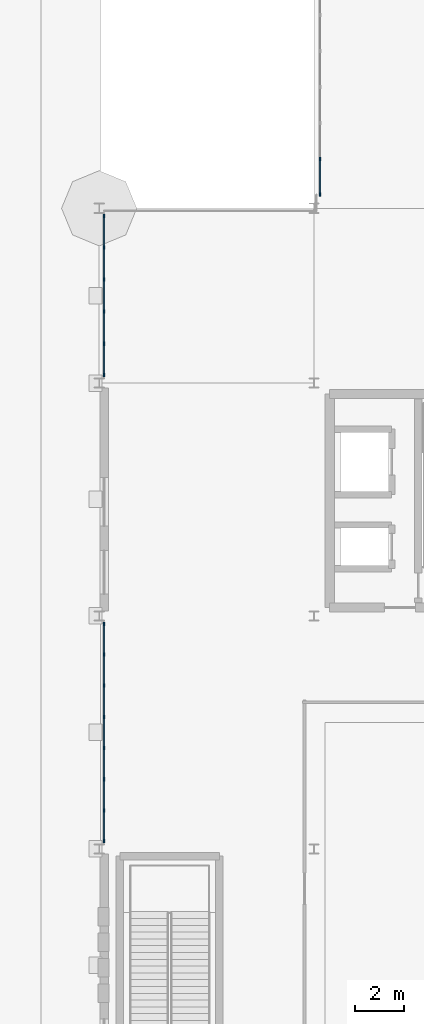
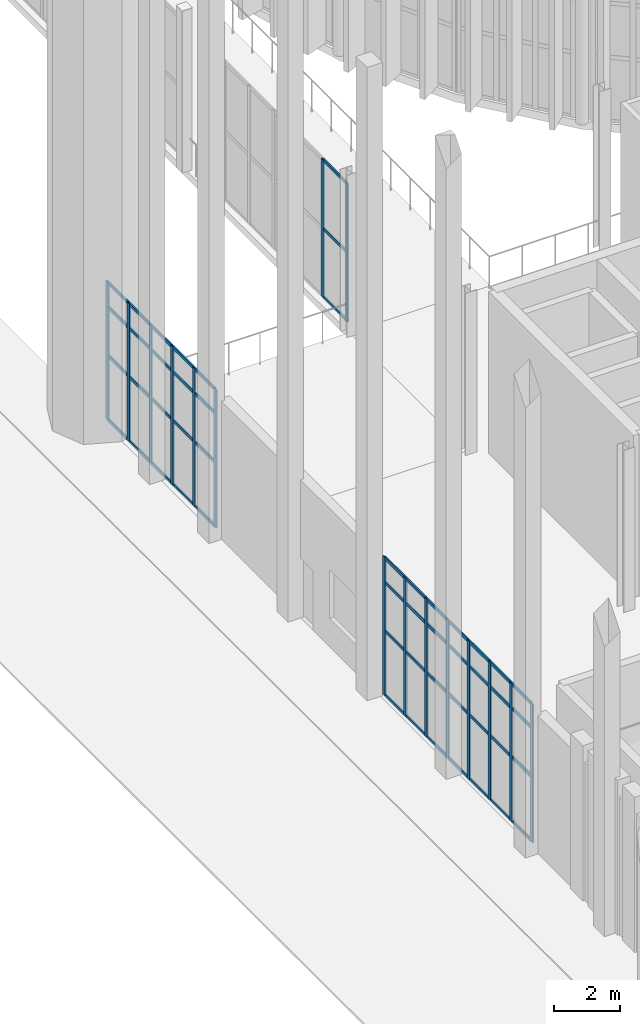
# One storey, part 27 of 139: 67 members, 3 elements without a shape of their own.
"""IFC4 building model written with IfcOpenShell, lengths in metres."""

from ifc_helpers import new_model, si_unit, direction, frame, origin, origin_2d, place, context, subcontext, project, spatial, rectangle, extrude, material, layer, layer_set, material_profile, profile_set, type_object, element, aggregate, save


model = new_model("IFC4")

# Units and contexts
model_context = context("Model", 3, precision=1e-05, world=origin(), true_north=direction((0.0, 1.0)))
body_context = subcontext(model_context, "Body", "Model", "MODEL_VIEW")
ifc_project = project(units=[si_unit("LENGTHUNIT", "METRE"), si_unit("AREAUNIT", "SQUARE_METRE"), si_unit("VOLUMEUNIT", "CUBIC_METRE"), si_unit("PLANEANGLEUNIT", "RADIAN"), si_unit("MASSUNIT", "GRAM", prefix="KILO")], contexts=[model_context])

# Site, building, storey
site_placement = place(None, origin())
site = spatial("IfcSite", under=ifc_project, at=site_placement, CompositionType="ELEMENT")
building_placement = place(site_placement, origin())
building = spatial("IfcBuilding", under=site, at=building_placement, Name="Yeouljin Market Hall", CompositionType="ELEMENT")
storey_placement = place(building_placement, origin())
storey = spatial("IfcBuildingStorey", under=building, at=storey_placement, Name="L00", CompositionType="ELEMENT", Elevation=0.0)

# Curtain wall, members
ifc_material_1 = material(Name="Thermally Broken Aluminium", Category="aluminium")
ifc_layer = layer(ifc_material_1, 0.14990234375)
ifc_layer_set = layer_set([ifc_layer], Name="Thermally Broken Aluminium")
curtain_wall_type = type_object("IfcCurtainWallType", Name="CW_WingStorefront_System", PredefinedType="USERDEFINED", material=ifc_layer_set)
curtain_wall_1_placement = place(storey_placement, origin())
curtain_wall_1 = element("IfcCurtainWall", 1, at=curtain_wall_1_placement, inside=storey, type_object=curtain_wall_type, Name="Curtain wall CW-V2W-L00-2", ObjectType="CURTAIN WALL", PredefinedType="USERDEFINED")
ifc_material_2 = material(Name="Thermally Broken Aluminium", Category="aluminium")
ifc_material_profile_1 = material_profile(ifc_material_2, rectangle(XDim=0.048095703125, YDim=0.14990234375, at=origin_2d()), Name="CW-MULL-48x150")
ifc_profile_set_1 = profile_set([ifc_material_profile_1], Name="Thermally Broken Aluminium")
member_type_1 = type_object("IfcMemberType", Name="CWMullion_48x150", PredefinedType="MULLION", material=ifc_profile_set_1)
member_1_placement = place(storey_placement, frame((0.199951171875, 9.924072265625, 0.0), z_axis=(0.0, 0.0, 1.0), x_axis=(-1.0, 0.0, 0.0)))
member_1 = element("IfcMember", 2, at=member_1_placement, type_object=member_type_1, Name="CW-04 mullion 1", PredefinedType="MULLION", context=body_context, shape_type="SweptSolid", body=[
    extrude(rectangle(XDim=0.048095703125, YDim=0.14990234375, at=origin_2d()), origin(), (0.0, 0.0, 1.0), 5.1201171875),
])
member_2_placement = place(storey_placement, frame((0.199951171875, 11.185791015625, 0.0), z_axis=(0.0, 0.0, 1.0), x_axis=(-1.0, 0.0, 0.0)))
member_2 = element("IfcMember", 3, at=member_2_placement, type_object=member_type_1, Name="CW-04 mullion 2", PredefinedType="MULLION", context=body_context, shape_type="SweptSolid", body=[
    extrude(rectangle(XDim=0.048095703125, YDim=0.14990234375, at=origin_2d()), origin(), (0.0, 0.0, 1.0), 5.1201171875),
])
member_3_placement = place(storey_placement, frame((0.199951171875, 12.471435546875, 0.0), z_axis=(0.0, 0.0, 1.0), x_axis=(-1.0, 0.0, 0.0)))
member_3 = element("IfcMember", 4, at=member_3_placement, type_object=member_type_1, Name="CW-04 mullion 3", PredefinedType="MULLION", context=body_context, shape_type="SweptSolid", body=[
    extrude(rectangle(XDim=0.048095703125, YDim=0.14990234375, at=origin_2d()), origin(), (0.0, 0.0, 1.0), 5.1201171875),
])
member_4_placement = place(storey_placement, frame((0.199951171875, 13.757080078125, 0.0), z_axis=(0.0, 0.0, 1.0), x_axis=(-1.0, 0.0, 0.0)))
member_4 = element("IfcMember", 5, at=member_4_placement, type_object=member_type_1, Name="CW-04 mullion 4", PredefinedType="MULLION", context=body_context, shape_type="SweptSolid", body=[
    extrude(rectangle(XDim=0.048095703125, YDim=0.14990234375, at=origin_2d()), origin(), (0.0, 0.0, 1.0), 5.1201171875),
])
member_5_placement = place(storey_placement, frame((0.199951171875, 15.04296875, 0.0), z_axis=(0.0, 0.0, 1.0), x_axis=(-1.0, 0.0, 0.0)))
member_5 = element("IfcMember", 6, at=member_5_placement, type_object=member_type_1, Name="CW-04 mullion 5", PredefinedType="MULLION", context=body_context, shape_type="SweptSolid", body=[
    extrude(rectangle(XDim=0.048095703125, YDim=0.14990234375, at=origin_2d()), origin(), (0.0, 0.0, 1.0), 5.1201171875),
])
member_6_placement = place(storey_placement, frame((0.199951171875, 16.32861328125, 0.0), z_axis=(0.0, 0.0, 1.0), x_axis=(-1.0, 0.0, 0.0)))
member_6 = element("IfcMember", 7, at=member_6_placement, type_object=member_type_1, Name="CW-04 mullion 6", PredefinedType="MULLION", context=body_context, shape_type="SweptSolid", body=[
    extrude(rectangle(XDim=0.048095703125, YDim=0.14990234375, at=origin_2d()), origin(), (0.0, 0.0, 1.0), 5.1201171875),
])
member_7_placement = place(storey_placement, frame((0.199951171875, 17.6142578125, 0.0), z_axis=(0.0, 0.0, 1.0), x_axis=(-1.0, 0.0, 0.0)))
member_7 = element("IfcMember", 8, at=member_7_placement, type_object=member_type_1, Name="CW-04 mullion 7", PredefinedType="MULLION", context=body_context, shape_type="SweptSolid", body=[
    extrude(rectangle(XDim=0.048095703125, YDim=0.14990234375, at=origin_2d()), origin(), (0.0, 0.0, 1.0), 5.1201171875),
])
member_8_placement = place(storey_placement, frame((0.199951171875, 18.8759765625, 0.0), z_axis=(0.0, 0.0, 1.0), x_axis=(-1.0, 0.0, 0.0)))
member_8 = element("IfcMember", 9, at=member_8_placement, type_object=member_type_1, Name="CW-04 mullion 8", PredefinedType="MULLION", context=body_context, shape_type="SweptSolid", body=[
    extrude(rectangle(XDim=0.048095703125, YDim=0.14990234375, at=origin_2d()), origin(), (0.0, 0.0, 1.0), 5.1201171875),
])

curtain_wall_2_placement = place(storey_placement, origin())
curtain_wall_2 = element("IfcCurtainWall", 10, at=curtain_wall_2_placement, inside=storey, type_object=curtain_wall_type, Name="Curtain wall CW-V2W-L00-4", ObjectType="CURTAIN WALL", PredefinedType="USERDEFINED")
member_9_placement = place(storey_placement, frame((0.199951171875, 29.1240234375, 0.0), z_axis=(0.0, 0.0, 1.0), x_axis=(-1.0, 0.0, 0.0)))
member_9 = element("IfcMember", 11, at=member_9_placement, type_object=member_type_1, Name="CW-04 mullion 1", PredefinedType="MULLION", context=body_context, shape_type="SweptSolid", body=[
    extrude(rectangle(XDim=0.048095703125, YDim=0.14990234375, at=origin_2d()), origin(), (0.0, 0.0, 1.0), 5.1201171875),
])
member_10_placement = place(storey_placement, frame((0.199951171875, 30.419921875, 0.0), z_axis=(0.0, 0.0, 1.0), x_axis=(-1.0, 0.0, 0.0)))
member_10 = element("IfcMember", 12, at=member_10_placement, type_object=member_type_1, Name="CW-04 mullion 2", PredefinedType="MULLION", context=body_context, shape_type="SweptSolid", body=[
    extrude(rectangle(XDim=0.048095703125, YDim=0.14990234375, at=origin_2d()), origin(), (0.0, 0.0, 1.0), 5.1201171875),
])
member_11_placement = place(storey_placement, frame((0.199951171875, 31.739990234375, 0.0), z_axis=(0.0, 0.0, 1.0), x_axis=(-1.0, 0.0, 0.0)))
member_11 = element("IfcMember", 13, at=member_11_placement, type_object=member_type_1, Name="CW-04 mullion 3", PredefinedType="MULLION", context=body_context, shape_type="SweptSolid", body=[
    extrude(rectangle(XDim=0.048095703125, YDim=0.14990234375, at=origin_2d()), origin(), (0.0, 0.0, 1.0), 5.1201171875),
])
member_12_placement = place(storey_placement, frame((0.199951171875, 33.06005859375, 0.0), z_axis=(0.0, 0.0, 1.0), x_axis=(-1.0, 0.0, 0.0)))
member_12 = element("IfcMember", 14, at=member_12_placement, type_object=member_type_1, Name="CW-04 mullion 4", PredefinedType="MULLION", context=body_context, shape_type="SweptSolid", body=[
    extrude(rectangle(XDim=0.048095703125, YDim=0.14990234375, at=origin_2d()), origin(), (0.0, 0.0, 1.0), 5.1201171875),
])
member_13_placement = place(storey_placement, frame((0.199951171875, 34.3798828125, 0.0), z_axis=(0.0, 0.0, 1.0), x_axis=(-1.0, 0.0, 0.0)))
member_13 = element("IfcMember", 15, at=member_13_placement, type_object=member_type_1, Name="CW-04 mullion 5", PredefinedType="MULLION", context=body_context, shape_type="SweptSolid", body=[
    extrude(rectangle(XDim=0.048095703125, YDim=0.14990234375, at=origin_2d()), origin(), (0.0, 0.0, 1.0), 5.1201171875),
])
member_14_placement = place(storey_placement, frame((0.199951171875, 35.676025390625, 0.0), z_axis=(0.0, 0.0, 1.0), x_axis=(-1.0, 0.0, 0.0)))
member_14 = element("IfcMember", 16, at=member_14_placement, type_object=member_type_1, Name="CW-04 mullion 6", PredefinedType="MULLION", context=body_context, shape_type="SweptSolid", body=[
    extrude(rectangle(XDim=0.048095703125, YDim=0.14990234375, at=origin_2d()), origin(), (0.0, 0.0, 1.0), 5.1201171875),
])

curtain_wall_3_placement = place(storey_placement, origin())
curtain_wall_3 = element("IfcCurtainWall", 17, at=curtain_wall_3_placement, inside=storey, type_object=curtain_wall_type, Name="Curtain wall CW-CRT-L00-05", ObjectType="CURTAIN WALL", PredefinedType="USERDEFINED")
member_15_placement = place(storey_placement, frame((9.10009765625, 36.573974609375, 0.0), z_axis=(0.0, 0.0, 1.0), x_axis=(-1.0, 0.0, 0.0)))
member_15 = element("IfcMember", 18, at=member_15_placement, type_object=member_type_1, Name="CW-04 mullion 1", PredefinedType="MULLION", context=body_context, shape_type="SweptSolid", body=[
    extrude(rectangle(XDim=0.048095703125, YDim=0.14990234375, at=origin_2d()), origin(), (0.0, 0.0, 1.0), 5.1201171875),
])
member_16_placement = place(storey_placement, frame((9.10009765625, 38.033447265625, 0.0), z_axis=(0.0, 0.0, 1.0), x_axis=(-1.0, 0.0, 0.0)))
member_16 = element("IfcMember", 19, at=member_16_placement, type_object=member_type_1, Name="CW-04 mullion 2", PredefinedType="MULLION", context=body_context, shape_type="SweptSolid", body=[
    extrude(rectangle(XDim=0.048095703125, YDim=0.14990234375, at=origin_2d()), origin(), (0.0, 0.0, 1.0), 5.1201171875),
])

# Member
ifc_material_3 = material(Name="Thermally Broken Aluminium", Category="aluminium")
ifc_material_profile_2 = material_profile(ifc_material_3, rectangle(XDim=0.048095703125, YDim=0.1201171875, at=origin_2d()), Name="CW-TRAN-48x120")
ifc_profile_set_2 = profile_set([ifc_material_profile_2], Name="Thermally Broken Aluminium")
member_type_2 = type_object("IfcMemberType", Name="CWTransom_48x120", PredefinedType="USERDEFINED", material=ifc_profile_set_2)
member_17_placement = place(storey_placement, frame((0.199951171875, 9.947998046875, 0.02392578125), z_axis=(0.0, 1.0, 0.0), x_axis=(-1.0, 0.0, 0.0)))
member_17 = element("IfcMember", 20, at=member_17_placement, type_object=member_type_2, Name="CW-04 transom 1.1", ObjectType="TRANSOM", PredefinedType="USERDEFINED", context=body_context, shape_type="SweptSolid", body=[
    extrude(rectangle(XDim=0.048095703125, YDim=0.1201171875, at=origin_2d()), origin(), (0.0, 0.0, 1.0), 1.213623046875),
])

member_18_placement = place(storey_placement, frame((0.199951171875, 9.947998046875, 2.39990234375), z_axis=(0.0, 1.0, 0.0), x_axis=(-1.0, 0.0, 0.0)))
member_18 = element("IfcMember", 21, at=member_18_placement, type_object=member_type_2, Name="CW-04 transom 1.2", ObjectType="TRANSOM", PredefinedType="USERDEFINED", context=body_context, shape_type="SweptSolid", body=[
    extrude(rectangle(XDim=0.048095703125, YDim=0.1201171875, at=origin_2d()), origin(), (0.0, 0.0, 1.0), 1.213623046875),
])

member_19_placement = place(storey_placement, frame((0.199951171875, 9.947998046875, 4.199951171875), z_axis=(0.0, 1.0, 0.0), x_axis=(-1.0, 0.0, 0.0)))
member_19 = element("IfcMember", 22, at=member_19_placement, type_object=member_type_2, Name="CW-04 transom 1.3", ObjectType="TRANSOM", PredefinedType="USERDEFINED", context=body_context, shape_type="SweptSolid", body=[
    extrude(rectangle(XDim=0.048095703125, YDim=0.1201171875, at=origin_2d()), origin(), (0.0, 0.0, 1.0), 1.213623046875),
])

member_20_placement = place(storey_placement, frame((0.199951171875, 9.947998046875, 5.095947265625), z_axis=(0.0, 1.0, 0.0), x_axis=(-1.0, 0.0, 0.0)))
member_20 = element("IfcMember", 23, at=member_20_placement, type_object=member_type_2, Name="CW-04 transom 1.4", ObjectType="TRANSOM", PredefinedType="USERDEFINED", context=body_context, shape_type="SweptSolid", body=[
    extrude(rectangle(XDim=0.048095703125, YDim=0.1201171875, at=origin_2d()), origin(), (0.0, 0.0, 1.0), 1.213623046875),
])

member_21_placement = place(storey_placement, frame((0.199951171875, 11.209716796875, 0.02392578125), z_axis=(0.0, 1.0, 0.0), x_axis=(-1.0, 0.0, 0.0)))
member_21 = element("IfcMember", 24, at=member_21_placement, type_object=member_type_2, Name="CW-04 transom 2.1", ObjectType="TRANSOM", PredefinedType="USERDEFINED", context=body_context, shape_type="SweptSolid", body=[
    extrude(rectangle(XDim=0.048095703125, YDim=0.1201171875, at=origin_2d()), origin(), (0.0, 0.0, 1.0), 1.23779296875),
])

member_22_placement = place(storey_placement, frame((0.199951171875, 11.209716796875, 2.39990234375), z_axis=(0.0, 1.0, 0.0), x_axis=(-1.0, 0.0, 0.0)))
member_22 = element("IfcMember", 25, at=member_22_placement, type_object=member_type_2, Name="CW-04 transom 2.2", ObjectType="TRANSOM", PredefinedType="USERDEFINED", context=body_context, shape_type="SweptSolid", body=[
    extrude(rectangle(XDim=0.048095703125, YDim=0.1201171875, at=origin_2d()), origin(), (0.0, 0.0, 1.0), 1.23779296875),
])

member_23_placement = place(storey_placement, frame((0.199951171875, 11.209716796875, 4.199951171875), z_axis=(0.0, 1.0, 0.0), x_axis=(-1.0, 0.0, 0.0)))
member_23 = element("IfcMember", 26, at=member_23_placement, type_object=member_type_2, Name="CW-04 transom 2.3", ObjectType="TRANSOM", PredefinedType="USERDEFINED", context=body_context, shape_type="SweptSolid", body=[
    extrude(rectangle(XDim=0.048095703125, YDim=0.1201171875, at=origin_2d()), origin(), (0.0, 0.0, 1.0), 1.23779296875),
])

member_24_placement = place(storey_placement, frame((0.199951171875, 11.209716796875, 5.095947265625), z_axis=(0.0, 1.0, 0.0), x_axis=(-1.0, 0.0, 0.0)))
member_24 = element("IfcMember", 27, at=member_24_placement, type_object=member_type_2, Name="CW-04 transom 2.4", ObjectType="TRANSOM", PredefinedType="USERDEFINED", context=body_context, shape_type="SweptSolid", body=[
    extrude(rectangle(XDim=0.048095703125, YDim=0.1201171875, at=origin_2d()), origin(), (0.0, 0.0, 1.0), 1.23779296875),
])

member_25_placement = place(storey_placement, frame((0.199951171875, 12.495361328125, 0.02392578125), z_axis=(0.0, 1.0, 0.0), x_axis=(-1.0, 0.0, 0.0)))
member_25 = element("IfcMember", 28, at=member_25_placement, type_object=member_type_2, Name="CW-04 transom 3.1", ObjectType="TRANSOM", PredefinedType="USERDEFINED", context=body_context, shape_type="SweptSolid", body=[
    extrude(rectangle(XDim=0.048095703125, YDim=0.1201171875, at=origin_2d()), origin(), (0.0, 0.0, 1.0), 1.23779296875),
])

member_26_placement = place(storey_placement, frame((0.199951171875, 12.495361328125, 2.39990234375), z_axis=(0.0, 1.0, 0.0), x_axis=(-1.0, 0.0, 0.0)))
member_26 = element("IfcMember", 29, at=member_26_placement, type_object=member_type_2, Name="CW-04 transom 3.2", ObjectType="TRANSOM", PredefinedType="USERDEFINED", context=body_context, shape_type="SweptSolid", body=[
    extrude(rectangle(XDim=0.048095703125, YDim=0.1201171875, at=origin_2d()), origin(), (0.0, 0.0, 1.0), 1.23779296875),
])

member_27_placement = place(storey_placement, frame((0.199951171875, 12.495361328125, 4.199951171875), z_axis=(0.0, 1.0, 0.0), x_axis=(-1.0, 0.0, 0.0)))
member_27 = element("IfcMember", 30, at=member_27_placement, type_object=member_type_2, Name="CW-04 transom 3.3", ObjectType="TRANSOM", PredefinedType="USERDEFINED", context=body_context, shape_type="SweptSolid", body=[
    extrude(rectangle(XDim=0.048095703125, YDim=0.1201171875, at=origin_2d()), origin(), (0.0, 0.0, 1.0), 1.23779296875),
])

member_28_placement = place(storey_placement, frame((0.199951171875, 12.495361328125, 5.095947265625), z_axis=(0.0, 1.0, 0.0), x_axis=(-1.0, 0.0, 0.0)))
member_28 = element("IfcMember", 31, at=member_28_placement, type_object=member_type_2, Name="CW-04 transom 3.4", ObjectType="TRANSOM", PredefinedType="USERDEFINED", context=body_context, shape_type="SweptSolid", body=[
    extrude(rectangle(XDim=0.048095703125, YDim=0.1201171875, at=origin_2d()), origin(), (0.0, 0.0, 1.0), 1.23779296875),
])

member_29_placement = place(storey_placement, frame((0.199951171875, 13.78125, 0.02392578125), z_axis=(0.0, 1.0, 0.0), x_axis=(-1.0, 0.0, 0.0)))
member_29 = element("IfcMember", 32, at=member_29_placement, type_object=member_type_2, Name="CW-04 transom 4.1", ObjectType="TRANSOM", PredefinedType="USERDEFINED", context=body_context, shape_type="SweptSolid", body=[
    extrude(rectangle(XDim=0.048095703125, YDim=0.1201171875, at=origin_2d()), origin(), (0.0, 0.0, 1.0), 1.237548828125),
])

member_30_placement = place(storey_placement, frame((0.199951171875, 13.78125, 2.39990234375), z_axis=(0.0, 1.0, 0.0), x_axis=(-1.0, 0.0, 0.0)))
member_30 = element("IfcMember", 33, at=member_30_placement, type_object=member_type_2, Name="CW-04 transom 4.2", ObjectType="TRANSOM", PredefinedType="USERDEFINED", context=body_context, shape_type="SweptSolid", body=[
    extrude(rectangle(XDim=0.048095703125, YDim=0.1201171875, at=origin_2d()), origin(), (0.0, 0.0, 1.0), 1.237548828125),
])

member_31_placement = place(storey_placement, frame((0.199951171875, 13.78125, 4.199951171875), z_axis=(0.0, 1.0, 0.0), x_axis=(-1.0, 0.0, 0.0)))
member_31 = element("IfcMember", 34, at=member_31_placement, type_object=member_type_2, Name="CW-04 transom 4.3", ObjectType="TRANSOM", PredefinedType="USERDEFINED", context=body_context, shape_type="SweptSolid", body=[
    extrude(rectangle(XDim=0.048095703125, YDim=0.1201171875, at=origin_2d()), origin(), (0.0, 0.0, 1.0), 1.237548828125),
])

member_32_placement = place(storey_placement, frame((0.199951171875, 13.78125, 5.095947265625), z_axis=(0.0, 1.0, 0.0), x_axis=(-1.0, 0.0, 0.0)))
member_32 = element("IfcMember", 35, at=member_32_placement, type_object=member_type_2, Name="CW-04 transom 4.4", ObjectType="TRANSOM", PredefinedType="USERDEFINED", context=body_context, shape_type="SweptSolid", body=[
    extrude(rectangle(XDim=0.048095703125, YDim=0.1201171875, at=origin_2d()), origin(), (0.0, 0.0, 1.0), 1.237548828125),
])

member_33_placement = place(storey_placement, frame((0.199951171875, 15.06689453125, 0.02392578125), z_axis=(0.0, 1.0, 0.0), x_axis=(-1.0, 0.0, 0.0)))
member_33 = element("IfcMember", 36, at=member_33_placement, type_object=member_type_2, Name="CW-04 transom 5.1", ObjectType="TRANSOM", PredefinedType="USERDEFINED", context=body_context, shape_type="SweptSolid", body=[
    extrude(rectangle(XDim=0.048095703125, YDim=0.1201171875, at=origin_2d()), origin(), (0.0, 0.0, 1.0), 1.23779296875),
])

member_34_placement = place(storey_placement, frame((0.199951171875, 15.06689453125, 2.39990234375), z_axis=(0.0, 1.0, 0.0), x_axis=(-1.0, 0.0, 0.0)))
member_34 = element("IfcMember", 37, at=member_34_placement, type_object=member_type_2, Name="CW-04 transom 5.2", ObjectType="TRANSOM", PredefinedType="USERDEFINED", context=body_context, shape_type="SweptSolid", body=[
    extrude(rectangle(XDim=0.048095703125, YDim=0.1201171875, at=origin_2d()), origin(), (0.0, 0.0, 1.0), 1.23779296875),
])

member_35_placement = place(storey_placement, frame((0.199951171875, 15.06689453125, 4.199951171875), z_axis=(0.0, 1.0, 0.0), x_axis=(-1.0, 0.0, 0.0)))
member_35 = element("IfcMember", 38, at=member_35_placement, type_object=member_type_2, Name="CW-04 transom 5.3", ObjectType="TRANSOM", PredefinedType="USERDEFINED", context=body_context, shape_type="SweptSolid", body=[
    extrude(rectangle(XDim=0.048095703125, YDim=0.1201171875, at=origin_2d()), origin(), (0.0, 0.0, 1.0), 1.23779296875),
])

member_36_placement = place(storey_placement, frame((0.199951171875, 15.06689453125, 5.095947265625), z_axis=(0.0, 1.0, 0.0), x_axis=(-1.0, 0.0, 0.0)))
member_36 = element("IfcMember", 39, at=member_36_placement, type_object=member_type_2, Name="CW-04 transom 5.4", ObjectType="TRANSOM", PredefinedType="USERDEFINED", context=body_context, shape_type="SweptSolid", body=[
    extrude(rectangle(XDim=0.048095703125, YDim=0.1201171875, at=origin_2d()), origin(), (0.0, 0.0, 1.0), 1.23779296875),
])

member_37_placement = place(storey_placement, frame((0.199951171875, 16.3525390625, 0.02392578125), z_axis=(0.0, 1.0, 0.0), x_axis=(-1.0, 0.0, 0.0)))
member_37 = element("IfcMember", 40, at=member_37_placement, type_object=member_type_2, Name="CW-04 transom 6.1", ObjectType="TRANSOM", PredefinedType="USERDEFINED", context=body_context, shape_type="SweptSolid", body=[
    extrude(rectangle(XDim=0.048095703125, YDim=0.1201171875, at=origin_2d()), origin(), (0.0, 0.0, 1.0), 1.23779296875),
])

member_38_placement = place(storey_placement, frame((0.199951171875, 16.3525390625, 2.39990234375), z_axis=(0.0, 1.0, 0.0), x_axis=(-1.0, 0.0, 0.0)))
member_38 = element("IfcMember", 41, at=member_38_placement, type_object=member_type_2, Name="CW-04 transom 6.2", ObjectType="TRANSOM", PredefinedType="USERDEFINED", context=body_context, shape_type="SweptSolid", body=[
    extrude(rectangle(XDim=0.048095703125, YDim=0.1201171875, at=origin_2d()), origin(), (0.0, 0.0, 1.0), 1.23779296875),
])

member_39_placement = place(storey_placement, frame((0.199951171875, 16.3525390625, 4.199951171875), z_axis=(0.0, 1.0, 0.0), x_axis=(-1.0, 0.0, 0.0)))
member_39 = element("IfcMember", 42, at=member_39_placement, type_object=member_type_2, Name="CW-04 transom 6.3", ObjectType="TRANSOM", PredefinedType="USERDEFINED", context=body_context, shape_type="SweptSolid", body=[
    extrude(rectangle(XDim=0.048095703125, YDim=0.1201171875, at=origin_2d()), origin(), (0.0, 0.0, 1.0), 1.23779296875),
])

member_40_placement = place(storey_placement, frame((0.199951171875, 16.3525390625, 5.095947265625), z_axis=(0.0, 1.0, 0.0), x_axis=(-1.0, 0.0, 0.0)))
member_40 = element("IfcMember", 43, at=member_40_placement, type_object=member_type_2, Name="CW-04 transom 6.4", ObjectType="TRANSOM", PredefinedType="USERDEFINED", context=body_context, shape_type="SweptSolid", body=[
    extrude(rectangle(XDim=0.048095703125, YDim=0.1201171875, at=origin_2d()), origin(), (0.0, 0.0, 1.0), 1.23779296875),
])

member_41_placement = place(storey_placement, frame((0.199951171875, 17.63818359375, 0.02392578125), z_axis=(0.0, 1.0, 0.0), x_axis=(-1.0, 0.0, 0.0)))
member_41 = element("IfcMember", 44, at=member_41_placement, type_object=member_type_2, Name="CW-04 transom 7.1", ObjectType="TRANSOM", PredefinedType="USERDEFINED", context=body_context, shape_type="SweptSolid", body=[
    extrude(rectangle(XDim=0.048095703125, YDim=0.1201171875, at=origin_2d()), origin(), (0.0, 0.0, 1.0), 1.2138671875),
])

member_42_placement = place(storey_placement, frame((0.199951171875, 17.63818359375, 2.39990234375), z_axis=(0.0, 1.0, 0.0), x_axis=(-1.0, 0.0, 0.0)))
member_42 = element("IfcMember", 45, at=member_42_placement, type_object=member_type_2, Name="CW-04 transom 7.2", ObjectType="TRANSOM", PredefinedType="USERDEFINED", context=body_context, shape_type="SweptSolid", body=[
    extrude(rectangle(XDim=0.048095703125, YDim=0.1201171875, at=origin_2d()), origin(), (0.0, 0.0, 1.0), 1.2138671875),
])

member_43_placement = place(storey_placement, frame((0.199951171875, 17.63818359375, 4.199951171875), z_axis=(0.0, 1.0, 0.0), x_axis=(-1.0, 0.0, 0.0)))
member_43 = element("IfcMember", 46, at=member_43_placement, type_object=member_type_2, Name="CW-04 transom 7.3", ObjectType="TRANSOM", PredefinedType="USERDEFINED", context=body_context, shape_type="SweptSolid", body=[
    extrude(rectangle(XDim=0.048095703125, YDim=0.1201171875, at=origin_2d()), origin(), (0.0, 0.0, 1.0), 1.2138671875),
])

member_44_placement = place(storey_placement, frame((0.199951171875, 17.63818359375, 5.095947265625), z_axis=(0.0, 1.0, 0.0), x_axis=(-1.0, 0.0, 0.0)))
member_44 = element("IfcMember", 47, at=member_44_placement, type_object=member_type_2, Name="CW-04 transom 7.4", ObjectType="TRANSOM", PredefinedType="USERDEFINED", context=body_context, shape_type="SweptSolid", body=[
    extrude(rectangle(XDim=0.048095703125, YDim=0.1201171875, at=origin_2d()), origin(), (0.0, 0.0, 1.0), 1.2138671875),
])

aggregate(curtain_wall_1, [member_1, member_2, member_3, member_4, member_5, member_6, member_7, member_8, member_17, member_18, member_19, member_20, member_21, member_22, member_23, member_24, member_25, member_26, member_27, member_28, member_29, member_30, member_31, member_32, member_33, member_34, member_35, member_36, member_37, member_38, member_39, member_40, member_41, member_42, member_43, member_44])

member_45_placement = place(storey_placement, frame((0.199951171875, 29.14794921875, 0.02392578125), z_axis=(0.0, 1.0, 0.0), x_axis=(-1.0, 0.0, 0.0)))
member_45 = element("IfcMember", 48, at=member_45_placement, type_object=member_type_2, Name="CW-04 transom 1.1", ObjectType="TRANSOM", PredefinedType="USERDEFINED", context=body_context, shape_type="SweptSolid", body=[
    extrude(rectangle(XDim=0.048095703125, YDim=0.1201171875, at=origin_2d()), origin(), (0.0, 0.0, 1.0), 1.248046875),
])

member_46_placement = place(storey_placement, frame((0.199951171875, 29.14794921875, 2.39990234375), z_axis=(0.0, 1.0, 0.0), x_axis=(-1.0, 0.0, 0.0)))
member_46 = element("IfcMember", 49, at=member_46_placement, type_object=member_type_2, Name="CW-04 transom 1.2", ObjectType="TRANSOM", PredefinedType="USERDEFINED", context=body_context, shape_type="SweptSolid", body=[
    extrude(rectangle(XDim=0.048095703125, YDim=0.1201171875, at=origin_2d()), origin(), (0.0, 0.0, 1.0), 1.248046875),
])

member_47_placement = place(storey_placement, frame((0.199951171875, 29.14794921875, 4.199951171875), z_axis=(0.0, 1.0, 0.0), x_axis=(-1.0, 0.0, 0.0)))
member_47 = element("IfcMember", 50, at=member_47_placement, type_object=member_type_2, Name="CW-04 transom 1.3", ObjectType="TRANSOM", PredefinedType="USERDEFINED", context=body_context, shape_type="SweptSolid", body=[
    extrude(rectangle(XDim=0.048095703125, YDim=0.1201171875, at=origin_2d()), origin(), (0.0, 0.0, 1.0), 1.248046875),
])

member_48_placement = place(storey_placement, frame((0.199951171875, 29.14794921875, 5.095947265625), z_axis=(0.0, 1.0, 0.0), x_axis=(-1.0, 0.0, 0.0)))
member_48 = element("IfcMember", 51, at=member_48_placement, type_object=member_type_2, Name="CW-04 transom 1.4", ObjectType="TRANSOM", PredefinedType="USERDEFINED", context=body_context, shape_type="SweptSolid", body=[
    extrude(rectangle(XDim=0.048095703125, YDim=0.1201171875, at=origin_2d()), origin(), (0.0, 0.0, 1.0), 1.248046875),
])

member_49_placement = place(storey_placement, frame((0.199951171875, 30.444091796875, 0.02392578125), z_axis=(0.0, 1.0, 0.0), x_axis=(-1.0, 0.0, 0.0)))
member_49 = element("IfcMember", 52, at=member_49_placement, type_object=member_type_2, Name="CW-04 transom 2.1", ObjectType="TRANSOM", PredefinedType="USERDEFINED", context=body_context, shape_type="SweptSolid", body=[
    extrude(rectangle(XDim=0.048095703125, YDim=0.1201171875, at=origin_2d()), origin(), (0.0, 0.0, 1.0), 1.27197265625),
])

member_50_placement = place(storey_placement, frame((0.199951171875, 30.444091796875, 2.39990234375), z_axis=(0.0, 1.0, 0.0), x_axis=(-1.0, 0.0, 0.0)))
member_50 = element("IfcMember", 53, at=member_50_placement, type_object=member_type_2, Name="CW-04 transom 2.2", ObjectType="TRANSOM", PredefinedType="USERDEFINED", context=body_context, shape_type="SweptSolid", body=[
    extrude(rectangle(XDim=0.048095703125, YDim=0.1201171875, at=origin_2d()), origin(), (0.0, 0.0, 1.0), 1.27197265625),
])

member_51_placement = place(storey_placement, frame((0.199951171875, 30.444091796875, 4.199951171875), z_axis=(0.0, 1.0, 0.0), x_axis=(-1.0, 0.0, 0.0)))
member_51 = element("IfcMember", 54, at=member_51_placement, type_object=member_type_2, Name="CW-04 transom 2.3", ObjectType="TRANSOM", PredefinedType="USERDEFINED", context=body_context, shape_type="SweptSolid", body=[
    extrude(rectangle(XDim=0.048095703125, YDim=0.1201171875, at=origin_2d()), origin(), (0.0, 0.0, 1.0), 1.27197265625),
])

member_52_placement = place(storey_placement, frame((0.199951171875, 30.444091796875, 5.095947265625), z_axis=(0.0, 1.0, 0.0), x_axis=(-1.0, 0.0, 0.0)))
member_52 = element("IfcMember", 55, at=member_52_placement, type_object=member_type_2, Name="CW-04 transom 2.4", ObjectType="TRANSOM", PredefinedType="USERDEFINED", context=body_context, shape_type="SweptSolid", body=[
    extrude(rectangle(XDim=0.048095703125, YDim=0.1201171875, at=origin_2d()), origin(), (0.0, 0.0, 1.0), 1.27197265625),
])

member_53_placement = place(storey_placement, frame((0.199951171875, 31.763916015625, 0.02392578125), z_axis=(0.0, 1.0, 0.0), x_axis=(-1.0, 0.0, 0.0)))
member_53 = element("IfcMember", 56, at=member_53_placement, type_object=member_type_2, Name="CW-04 transom 3.1", ObjectType="TRANSOM", PredefinedType="USERDEFINED", context=body_context, shape_type="SweptSolid", body=[
    extrude(rectangle(XDim=0.048095703125, YDim=0.1201171875, at=origin_2d()), origin(), (0.0, 0.0, 1.0), 1.27197265625),
])

member_54_placement = place(storey_placement, frame((0.199951171875, 31.763916015625, 2.39990234375), z_axis=(0.0, 1.0, 0.0), x_axis=(-1.0, 0.0, 0.0)))
member_54 = element("IfcMember", 57, at=member_54_placement, type_object=member_type_2, Name="CW-04 transom 3.2", ObjectType="TRANSOM", PredefinedType="USERDEFINED", context=body_context, shape_type="SweptSolid", body=[
    extrude(rectangle(XDim=0.048095703125, YDim=0.1201171875, at=origin_2d()), origin(), (0.0, 0.0, 1.0), 1.27197265625),
])

member_55_placement = place(storey_placement, frame((0.199951171875, 31.763916015625, 4.199951171875), z_axis=(0.0, 1.0, 0.0), x_axis=(-1.0, 0.0, 0.0)))
member_55 = element("IfcMember", 58, at=member_55_placement, type_object=member_type_2, Name="CW-04 transom 3.3", ObjectType="TRANSOM", PredefinedType="USERDEFINED", context=body_context, shape_type="SweptSolid", body=[
    extrude(rectangle(XDim=0.048095703125, YDim=0.1201171875, at=origin_2d()), origin(), (0.0, 0.0, 1.0), 1.27197265625),
])

member_56_placement = place(storey_placement, frame((0.199951171875, 31.763916015625, 5.095947265625), z_axis=(0.0, 1.0, 0.0), x_axis=(-1.0, 0.0, 0.0)))
member_56 = element("IfcMember", 59, at=member_56_placement, type_object=member_type_2, Name="CW-04 transom 3.4", ObjectType="TRANSOM", PredefinedType="USERDEFINED", context=body_context, shape_type="SweptSolid", body=[
    extrude(rectangle(XDim=0.048095703125, YDim=0.1201171875, at=origin_2d()), origin(), (0.0, 0.0, 1.0), 1.27197265625),
])

member_57_placement = place(storey_placement, frame((0.199951171875, 33.083984375, 0.02392578125), z_axis=(0.0, 1.0, 0.0), x_axis=(-1.0, 0.0, 0.0)))
member_57 = element("IfcMember", 60, at=member_57_placement, type_object=member_type_2, Name="CW-04 transom 4.1", ObjectType="TRANSOM", PredefinedType="USERDEFINED", context=body_context, shape_type="SweptSolid", body=[
    extrude(rectangle(XDim=0.048095703125, YDim=0.1201171875, at=origin_2d()), origin(), (0.0, 0.0, 1.0), 1.27197265625),
])

member_58_placement = place(storey_placement, frame((0.199951171875, 33.083984375, 2.39990234375), z_axis=(0.0, 1.0, 0.0), x_axis=(-1.0, 0.0, 0.0)))
member_58 = element("IfcMember", 61, at=member_58_placement, type_object=member_type_2, Name="CW-04 transom 4.2", ObjectType="TRANSOM", PredefinedType="USERDEFINED", context=body_context, shape_type="SweptSolid", body=[
    extrude(rectangle(XDim=0.048095703125, YDim=0.1201171875, at=origin_2d()), origin(), (0.0, 0.0, 1.0), 1.27197265625),
])

member_59_placement = place(storey_placement, frame((0.199951171875, 33.083984375, 4.199951171875), z_axis=(0.0, 1.0, 0.0), x_axis=(-1.0, 0.0, 0.0)))
member_59 = element("IfcMember", 62, at=member_59_placement, type_object=member_type_2, Name="CW-04 transom 4.3", ObjectType="TRANSOM", PredefinedType="USERDEFINED", context=body_context, shape_type="SweptSolid", body=[
    extrude(rectangle(XDim=0.048095703125, YDim=0.1201171875, at=origin_2d()), origin(), (0.0, 0.0, 1.0), 1.27197265625),
])

member_60_placement = place(storey_placement, frame((0.199951171875, 33.083984375, 5.095947265625), z_axis=(0.0, 1.0, 0.0), x_axis=(-1.0, 0.0, 0.0)))
member_60 = element("IfcMember", 63, at=member_60_placement, type_object=member_type_2, Name="CW-04 transom 4.4", ObjectType="TRANSOM", PredefinedType="USERDEFINED", context=body_context, shape_type="SweptSolid", body=[
    extrude(rectangle(XDim=0.048095703125, YDim=0.1201171875, at=origin_2d()), origin(), (0.0, 0.0, 1.0), 1.27197265625),
])

member_61_placement = place(storey_placement, frame((0.199951171875, 34.404052734375, 0.02392578125), z_axis=(0.0, 1.0, 0.0), x_axis=(-1.0, 0.0, 0.0)))
member_61 = element("IfcMember", 64, at=member_61_placement, type_object=member_type_2, Name="CW-04 transom 5.1", ObjectType="TRANSOM", PredefinedType="USERDEFINED", context=body_context, shape_type="SweptSolid", body=[
    extrude(rectangle(XDim=0.048095703125, YDim=0.1201171875, at=origin_2d()), origin(), (0.0, 0.0, 1.0), 1.248046875),
])

member_62_placement = place(storey_placement, frame((0.199951171875, 34.404052734375, 2.39990234375), z_axis=(0.0, 1.0, 0.0), x_axis=(-1.0, 0.0, 0.0)))
member_62 = element("IfcMember", 65, at=member_62_placement, type_object=member_type_2, Name="CW-04 transom 5.2", ObjectType="TRANSOM", PredefinedType="USERDEFINED", context=body_context, shape_type="SweptSolid", body=[
    extrude(rectangle(XDim=0.048095703125, YDim=0.1201171875, at=origin_2d()), origin(), (0.0, 0.0, 1.0), 1.248046875),
])

member_63_placement = place(storey_placement, frame((0.199951171875, 34.404052734375, 4.199951171875), z_axis=(0.0, 1.0, 0.0), x_axis=(-1.0, 0.0, 0.0)))
member_63 = element("IfcMember", 66, at=member_63_placement, type_object=member_type_2, Name="CW-04 transom 5.3", ObjectType="TRANSOM", PredefinedType="USERDEFINED", context=body_context, shape_type="SweptSolid", body=[
    extrude(rectangle(XDim=0.048095703125, YDim=0.1201171875, at=origin_2d()), origin(), (0.0, 0.0, 1.0), 1.248046875),
])

member_64_placement = place(storey_placement, frame((0.199951171875, 34.404052734375, 5.095947265625), z_axis=(0.0, 1.0, 0.0), x_axis=(-1.0, 0.0, 0.0)))
member_64 = element("IfcMember", 67, at=member_64_placement, type_object=member_type_2, Name="CW-04 transom 5.4", ObjectType="TRANSOM", PredefinedType="USERDEFINED", context=body_context, shape_type="SweptSolid", body=[
    extrude(rectangle(XDim=0.048095703125, YDim=0.1201171875, at=origin_2d()), origin(), (0.0, 0.0, 1.0), 1.248046875),
])

aggregate(curtain_wall_2, [member_9, member_10, member_11, member_12, member_13, member_14, member_45, member_46, member_47, member_48, member_49, member_50, member_51, member_52, member_53, member_54, member_55, member_56, member_57, member_58, member_59, member_60, member_61, member_62, member_63, member_64])

member_65_placement = place(storey_placement, frame((9.10009765625, 36.597900390625, 0.02392578125), z_axis=(0.0, 1.0, 0.0), x_axis=(-1.0, 0.0, 0.0)))
member_65 = element("IfcMember", 68, at=member_65_placement, type_object=member_type_2, Name="CW-04 transom 1.1", ObjectType="TRANSOM", PredefinedType="USERDEFINED", context=body_context, shape_type="SweptSolid", body=[
    extrude(rectangle(XDim=0.048095703125, YDim=0.1201171875, at=origin_2d()), origin(), (0.0, 0.0, 1.0), 1.411376953125),
])

member_66_placement = place(storey_placement, frame((9.10009765625, 36.597900390625, 2.56005859375), z_axis=(0.0, 1.0, 0.0), x_axis=(-1.0, 0.0, 0.0)))
member_66 = element("IfcMember", 69, at=member_66_placement, type_object=member_type_2, Name="CW-04 transom 1.2", ObjectType="TRANSOM", PredefinedType="USERDEFINED", context=body_context, shape_type="SweptSolid", body=[
    extrude(rectangle(XDim=0.048095703125, YDim=0.1201171875, at=origin_2d()), origin(), (0.0, 0.0, 1.0), 1.411376953125),
])

member_67_placement = place(storey_placement, frame((9.10009765625, 36.597900390625, 5.095947265625), z_axis=(0.0, 1.0, 0.0), x_axis=(-1.0, 0.0, 0.0)))
member_67 = element("IfcMember", 70, at=member_67_placement, type_object=member_type_2, Name="CW-04 transom 1.3", ObjectType="TRANSOM", PredefinedType="USERDEFINED", context=body_context, shape_type="SweptSolid", body=[
    extrude(rectangle(XDim=0.048095703125, YDim=0.1201171875, at=origin_2d()), origin(), (0.0, 0.0, 1.0), 1.411376953125),
])

aggregate(curtain_wall_3, [member_15, member_16, member_65, member_66, member_67])

save(model, "model.ifc")
